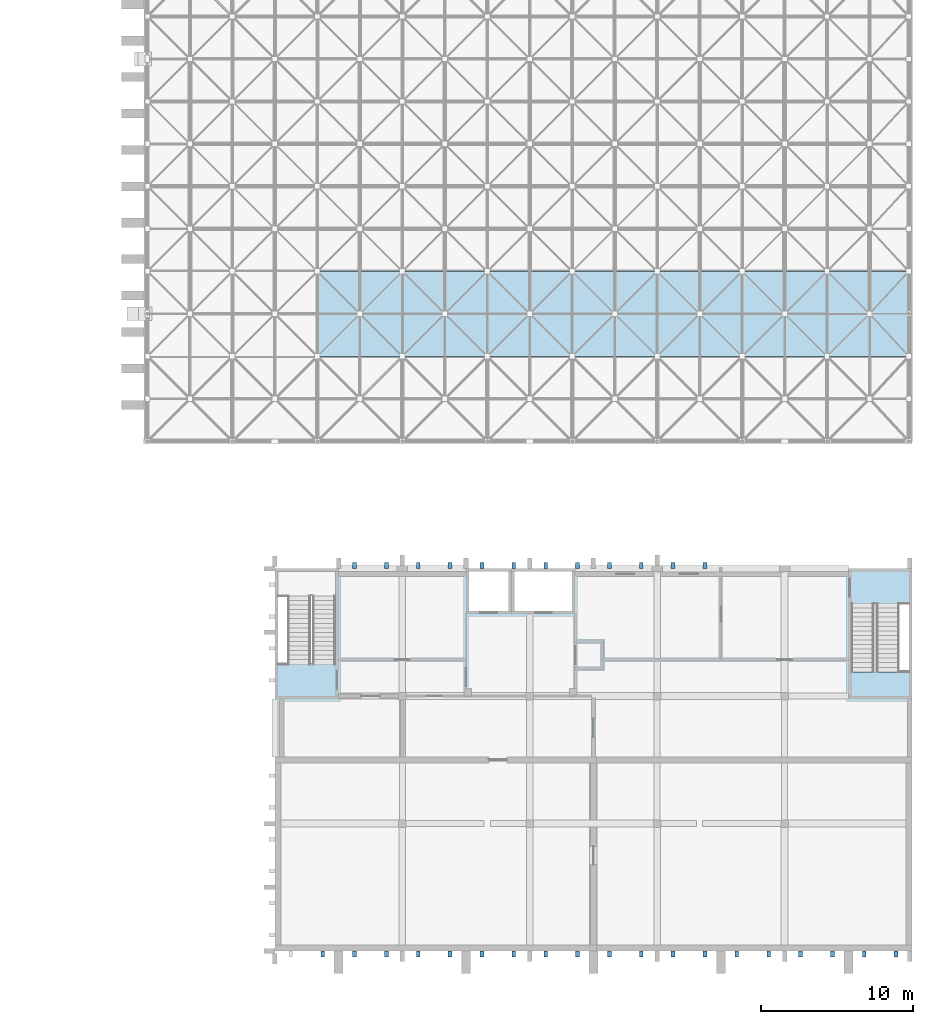
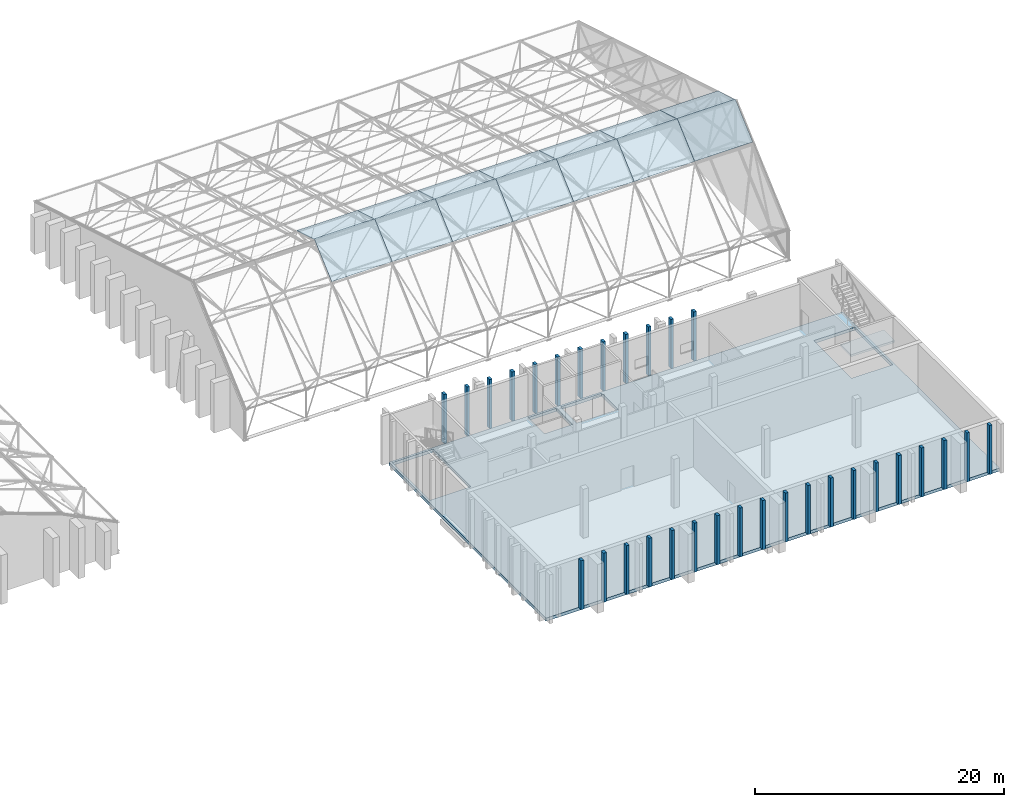
# One storey, part 55 of 100: 45 plates, 2 slabs, 1 element without a shape of its own.
"""IFC4 building model written with IfcOpenShell, lengths in metres."""

from ifc_helpers import new_model, si_unit, direction, frame, origin, origin_2d, place, context, subcontext, project, spatial, polyline, rectangle, outline, extrude, material, layer, layer_set, type_object, element, aggregate, save


model = new_model("IFC4")

# Units and contexts
model_context = context("Model", 3, precision=1e-05, world=origin(), true_north=direction((0.0, 1.0)))
body_context = subcontext(model_context, "Body", "Model", "MODEL_VIEW")
ifc_project = project(units=[si_unit("LENGTHUNIT", "METRE"), si_unit("AREAUNIT", "SQUARE_METRE"), si_unit("VOLUMEUNIT", "CUBIC_METRE"), si_unit("PLANEANGLEUNIT", "RADIAN"), si_unit("MASSUNIT", "GRAM", prefix="KILO")], contexts=[model_context])

# Site, building, storey
site_placement = place(None, origin())
site = spatial("IfcSite", under=ifc_project, at=site_placement, CompositionType="ELEMENT")
building_placement = place(site_placement, origin())
building = spatial("IfcBuilding", under=site, at=building_placement, Name="Kiln Court Media Centre", CompositionType="ELEMENT")
storey_placement = place(building_placement, frame((0.0, 0.0, 15.0)))
storey = spatial("IfcBuildingStorey", under=building, at=storey_placement, Name="L03", CompositionType="ELEMENT", Elevation=15.0)

# Slab
ifc_material_1 = material(Name="Concrete C30/37", Category="concrete")
ifc_layer_1 = layer(ifc_material_1, 0.300048828125)
ifc_layer_set_1 = layer_set([ifc_layer_1], Name="Concrete C30/37 floor slab 300")
slab_type_1 = type_object("IfcSlabType", Name="Concrete C30/37 floor slab 300", PredefinedType="FLOOR", material=ifc_layer_set_1)
slab_1_placement = place(storey_placement, frame((0.0, 0.0, -0.300048828125)))
element("IfcSlab", 1, at=slab_1_placement, inside=storey, type_object=slab_type_1, Name="L03-SL-1005", PredefinedType="FLOOR", context=body_context, shape_type="SweptSolid", body=[
    extrude(outline(polyline([(126.0, 0.0), (126.0, 25.199951171875), (168.0, 25.199951171875), (168.0, 0.0), (126.0, 0.0)]), holes=[polyline([(164.0, 16.800048828125), (167.800048828125, 16.800048828125), (167.800048828125, 22.860107421875), (164.0, 22.860107421875), (164.0, 16.800048828125)]), polyline([(126.199951171875, 18.93994140625), (130.0, 18.93994140625), (130.0, 25.0), (126.199951171875, 25.0), (126.199951171875, 18.93994140625)]), polyline([(138.800048828125, 22.39990234375), (141.39990234375, 22.39990234375), (141.39990234375, 25.0), (138.800048828125, 25.0), (138.800048828125, 22.39990234375)]), polyline([(141.800048828125, 22.39990234375), (145.60009765625, 22.39990234375), (145.60009765625, 25.0), (141.800048828125, 25.0), (141.800048828125, 22.39990234375)])]), origin(), (0.0, 0.0, 1.0), 0.300048828125),
])

# Plates
ifc_material_2 = material(Name="Concrete C40/50", Category="concrete")
ifc_layer_2 = layer(ifc_material_2, 0.25)
ifc_layer_set_2 = layer_set([ifc_layer_2], Name="Concrete C40/50 shading fin 250")
plate_type_1 = type_object("IfcPlateType", Name="Concrete C40/50 shading fin 250", PredefinedType="SHEET", material=ifc_layer_set_2)
for number, where, z_axis, x_axis, name in (
    (2, (129.14990234375, -0.199951171875, 0.0), (0.0, 0.0, 1.0), (1.0, 0.0, 0.0), "V5 S fin L03"),
    (3, (131.25, -0.199951171875, 0.0), (0.0, 0.0, 1.0), (1.0, 0.0, 0.0), "V5 S fin L03"),
    (4, (133.35009765625, -0.199951171875, 0.0), (0.0, 0.0, 1.0), (1.0, 0.0, 0.0), "V5 S fin L03"),
    (5, (135.449951171875, -0.199951171875, 0.0), (0.0, 0.0, 1.0), (1.0, 0.0, 0.0), "V5 S fin L03"),
    (6, (137.550048828125, -0.199951171875, 0.0), (0.0, 0.0, 1.0), (1.0, 0.0, 0.0), "V5 S fin L03"),
    (7, (139.64990234375, -0.199951171875, 0.0), (0.0, 0.0, 1.0), (1.0, 0.0, 0.0), "V5 S fin L03"),
    (8, (141.75, -0.199951171875, 0.0), (0.0, 0.0, 1.0), (1.0, 0.0, 0.0), "V5 S fin L03"),
    (9, (143.85009765625, -0.199951171875, 0.0), (0.0, 0.0, 1.0), (1.0, 0.0, 0.0), "V5 S fin L03"),
    (10, (145.949951171875, -0.199951171875, 0.0), (0.0, 0.0, 1.0), (1.0, 0.0, 0.0), "V5 S fin L03"),
    (11, (148.050048828125, -0.199951171875, 0.0), (0.0, 0.0, 1.0), (1.0, 0.0, 0.0), "V5 S fin L03"),
    (12, (150.14990234375, -0.199951171875, 0.0), (0.0, 0.0, 1.0), (1.0, 0.0, 0.0), "V5 S fin L03"),
    (13, (152.25, -0.199951171875, 0.0), (0.0, 0.0, 1.0), (1.0, 0.0, 0.0), "V5 S fin L03"),
    (14, (154.35009765625, -0.199951171875, 0.0), (0.0, 0.0, 1.0), (1.0, 0.0, 0.0), "V5 S fin L03"),
    (15, (156.449951171875, -0.199951171875, 0.0), (0.0, 0.0, 1.0), (1.0, 0.0, 0.0), "V5 S fin L03"),
    (16, (158.550048828125, -0.199951171875, 0.0), (0.0, 0.0, 1.0), (1.0, 0.0, 0.0), "V5 S fin L03"),
    (17, (160.64990234375, -0.199951171875, 0.0), (0.0, 0.0, 1.0), (1.0, 0.0, 0.0), "V5 S fin L03"),
    (18, (162.75, -0.199951171875, 0.0), (0.0, 0.0, 1.0), (1.0, 0.0, 0.0), "V5 S fin L03"),
    (19, (164.85009765625, -0.199951171875, 0.0), (0.0, 0.0, 1.0), (1.0, 0.0, 0.0), "V5 S fin L03"),
    (20, (166.949951171875, -0.199951171875, 0.0), (0.0, 0.0, 1.0), (1.0, 0.0, 0.0), "V5 S fin L03"),
    (21, (131.25, 25.39990234375, 0.0), (0.0, 0.0, 1.0), (1.0, 0.0, 0.0), "V5 N fin L03"),
    (22, (133.35009765625, 25.39990234375, 0.0), (0.0, 0.0, 1.0), (1.0, 0.0, 0.0), "V5 N fin L03"),
    (23, (135.449951171875, 25.39990234375, 0.0), (0.0, 0.0, 1.0), (1.0, 0.0, 0.0), "V5 N fin L03"),
    (24, (137.550048828125, 25.39990234375, 0.0), (0.0, 0.0, 1.0), (1.0, 0.0, 0.0), "V5 N fin L03"),
    (25, (139.64990234375, 25.39990234375, 0.0), (0.0, 0.0, 1.0), (1.0, 0.0, 0.0), "V5 N fin L03"),
    (26, (141.75, 25.39990234375, 0.0), (0.0, 0.0, 1.0), (1.0, 0.0, 0.0), "V5 N fin L03"),
    (27, (143.85009765625, 25.39990234375, 0.0), (0.0, 0.0, 1.0), (1.0, 0.0, 0.0), "V5 N fin L03"),
    (28, (145.949951171875, 25.39990234375, 0.0), (0.0, 0.0, 1.0), (1.0, 0.0, 0.0), "V5 N fin L03"),
    (29, (148.050048828125, 25.39990234375, 0.0), (0.0, 0.0, 1.0), (1.0, 0.0, 0.0), "V5 N fin L03"),
    (30, (150.14990234375, 25.39990234375, 0.0), (0.0, 0.0, 1.0), (1.0, 0.0, 0.0), "V5 N fin L03"),
    (31, (152.25, 25.39990234375, 0.0), (0.0, 0.0, 1.0), (1.0, 0.0, 0.0), "V5 N fin L03"),
    (32, (154.35009765625, 25.39990234375, 0.0), (0.0, 0.0, 1.0), (1.0, 0.0, 0.0), "V5 N fin L03"),
):
    element("IfcPlate", number, at=place(storey_placement, frame(where, z_axis=z_axis, x_axis=x_axis)), inside=storey, type_object=plate_type_1, Name=name, PredefinedType="SHEET", context=body_context, shape_type="SweptSolid", body=[
        extrude(rectangle(XDim=0.25, YDim=0.39990234375, at=origin_2d()), origin(), (0.0, 0.0, 1.0), 4.800048828125),
    ])

# Stair, slab
ifc_material_3 = material(Name="Concrete C40/50", Category="concrete")
stair_type = type_object("IfcStairType", Name="Concrete C40/50 dog-leg stair 1500 wide, 150 riser", PredefinedType="HALF_TURN_STAIR", material=ifc_material_3)
stair_placement = place(storey_placement, origin())
stair = element("IfcStair", 33, at=stair_placement, inside=storey, type_object=stair_type, Name="ST-17 L03", PredefinedType="HALF_TURN_STAIR")
ifc_material_4 = material(Name="Concrete C40/50", Category="concrete")
ifc_layer_3 = layer(ifc_material_4, 0.199951171875)
ifc_layer_set_3 = layer_set([ifc_layer_3], Name="Concrete C40/50 stair landing 200")
slab_type_2 = type_object("IfcSlabType", Name="Concrete C40/50 stair landing 200", PredefinedType="LANDING", material=ifc_layer_set_3)
slab_2_placement = place(storey_placement, frame((0.0, 0.0, 2.199951171875)))
slab_2 = element("IfcSlab", 34, at=slab_2_placement, type_object=slab_type_2, Name="L03-ST-5008 landing 5008", PredefinedType="LANDING", context=body_context, shape_type="SweptSolid", body=[
    extrude(outline(polyline([(163.8798828125, 18.39990234375), (163.8798828125, 16.679931640625), (167.919921875, 16.679931640625), (167.919921875, 18.39990234375), (163.8798828125, 18.39990234375)])), origin(), (0.0, 0.0, 1.0), 0.199951171875),
])
aggregate(stair, [slab_2])

# Plates
ifc_material_5 = material(Name="Laminated glass", Category="glass")
ifc_layer_4 = layer(ifc_material_5, 0.0439453125)
ifc_layer_set_4 = layer_set([ifc_layer_4], Name="Laminated glass rooflight 44")
plate_type_2 = type_object("IfcPlateType", Name="Laminated glass rooflight 44", PredefinedType="USERDEFINED", material=ifc_layer_set_4)
plate_1_placement = place(storey_placement, frame((128.800048828125, 39.199951171875, 8.188720703125), z_axis=(0.0, -0.666009306831, 0.745943431645), x_axis=(0.0, 0.745943431645, 0.666009306831)))
element("IfcPlate", 35, at=plate_1_placement, inside=storey, type_object=plate_type_2, Name="V2 rooflight 2.3", ObjectType="ROOFLIGHT GLAZING", PredefinedType="USERDEFINED", context=body_context, shape_type="SweptSolid", body=[
    extrude(outline(polyline([(0.0, 0.0), (3.7537012987029463, 0.0), (3.7537012987029463, -5.599853515624999), (0.0, -5.599853515624999), (0.0, 0.0)])), origin(), (0.0, 0.0, -1.0), 0.0439453125),
])
for number, where, z_axis, x_axis, name in (
    (36, (134.39990234375, 39.199951171875, 8.188720703125), (0.0, -0.666009306831, 0.745943431645), (0.0, 0.745943431645, 0.666009306831), "V2 rooflight 2.4"),
    (37, (140.0, 39.199951171875, 8.188720703125), (0.0, -0.666009306831, 0.745943431645), (0.0, 0.745943431645, 0.666009306831), "V2 rooflight 2.5"),
):
    element("IfcPlate", number, at=place(storey_placement, frame(where, z_axis=z_axis, x_axis=x_axis)), inside=storey, type_object=plate_type_2, Name=name, ObjectType="ROOFLIGHT GLAZING", PredefinedType="USERDEFINED", context=body_context, shape_type="SweptSolid", body=[
        extrude(outline(polyline([(0.0, 0.0), (3.7537012987029463, 0.0), (3.7537012987029463, -5.600097656249999), (0.0, -5.600097656249999), (0.0, 0.0)])), origin(), (0.0, 0.0, -1.0), 0.0439453125),
    ])
plate_2_placement = place(storey_placement, frame((145.60009765625, 39.199951171875, 8.188720703125), z_axis=(0.0, -0.666009306831, 0.745943431645), x_axis=(0.0, 0.745943431645, 0.666009306831)))
element("IfcPlate", 38, at=plate_2_placement, inside=storey, type_object=plate_type_2, Name="V2 rooflight 2.6", ObjectType="ROOFLIGHT GLAZING", PredefinedType="USERDEFINED", context=body_context, shape_type="SweptSolid", body=[
    extrude(outline(polyline([(0.0, 0.0), (3.7537012987029463, 0.0), (3.7537012987029463, -5.599853515624999), (0.0, -5.599853515624999), (0.0, 0.0)])), origin(), (0.0, 0.0, -1.0), 0.0439453125),
])
plate_3_placement = place(storey_placement, frame((151.199951171875, 39.199951171875, 8.188720703125), z_axis=(0.0, -0.666009306831, 0.745943431645), x_axis=(0.0, 0.745943431645, 0.666009306831)))
element("IfcPlate", 39, at=plate_3_placement, inside=storey, type_object=plate_type_2, Name="V2 rooflight 2.7", ObjectType="ROOFLIGHT GLAZING", PredefinedType="USERDEFINED", context=body_context, shape_type="SweptSolid", body=[
    extrude(outline(polyline([(0.0, 0.0), (3.7537012987029463, 0.0), (3.7537012987029463, -5.600097656249999), (0.0, -5.600097656249999), (0.0, 0.0)])), origin(), (0.0, 0.0, -1.0), 0.0439453125),
])
plate_4_placement = place(storey_placement, frame((156.800048828125, 39.199951171875, 8.188720703125), z_axis=(0.0, -0.666009306831, 0.745943431645), x_axis=(0.0, 0.745943431645, 0.666009306831)))
element("IfcPlate", 40, at=plate_4_placement, inside=storey, type_object=plate_type_2, Name="V2 rooflight 2.8", ObjectType="ROOFLIGHT GLAZING", PredefinedType="USERDEFINED", context=body_context, shape_type="SweptSolid", body=[
    extrude(outline(polyline([(0.0, 0.0), (3.7537012987029463, 0.0), (3.7537012987029463, -5.599853515624999), (0.0, -5.599853515624999), (0.0, 0.0)])), origin(), (0.0, 0.0, -1.0), 0.0439453125),
])
plate_5_placement = place(storey_placement, frame((162.39990234375, 39.199951171875, 8.205810546875), z_axis=(0.0, -0.666009306831, 0.745943431645), x_axis=(0.0, 0.745943431645, 0.666009306831)))
element("IfcPlate", 41, at=plate_5_placement, inside=storey, type_object=plate_type_2, Name="V2 rooflight 2.9", ObjectType="ROOFLIGHT GLAZING", PredefinedType="USERDEFINED", context=body_context, shape_type="SweptSolid", body=[
    extrude(outline(polyline([(0.0, 0.0), (3.7537012987029463, 0.0), (3.7537012987029463, -5.38671875), (0.0, -5.38671875), (0.0, 0.0)])), origin(), (0.0, 0.0, -1.0), 0.0439453125),
])
plate_6_placement = place(storey_placement, frame((128.800048828125, 42.0, 10.64697265625), z_axis=(0.0, 0.285223435116, 0.958461054013), x_axis=(0.0, 0.958461054013, -0.285223435116)))
element("IfcPlate", 42, at=plate_6_placement, inside=storey, type_object=plate_type_2, Name="V2 rooflight 3.3", ObjectType="ROOFLIGHT GLAZING", PredefinedType="USERDEFINED", context=body_context, shape_type="SweptSolid", body=[
    extrude(outline(polyline([(0.0, 0.0), (2.9214007354813227, 0.0), (2.9214007354813227, -5.599853515625), (0.0, -5.599853515625), (0.0, 0.0)])), origin(), (0.0, 0.0, -1.0), 0.0439453125),
])
for number, where, z_axis, x_axis, name in (
    (43, (134.39990234375, 42.0, 10.64697265625), (0.0, 0.285223435116, 0.958461054013), (0.0, 0.958461054013, -0.285223435116), "V2 rooflight 3.4"),
    (44, (140.0, 42.0, 10.64697265625), (0.0, 0.285223435116, 0.958461054013), (0.0, 0.958461054013, -0.285223435116), "V2 rooflight 3.5"),
):
    element("IfcPlate", number, at=place(storey_placement, frame(where, z_axis=z_axis, x_axis=x_axis)), inside=storey, type_object=plate_type_2, Name=name, ObjectType="ROOFLIGHT GLAZING", PredefinedType="USERDEFINED", context=body_context, shape_type="SweptSolid", body=[
        extrude(outline(polyline([(0.0, 0.0), (2.9214007354813227, 0.0), (2.9214007354813227, -5.60009765625), (0.0, -5.60009765625), (0.0, 0.0)])), origin(), (0.0, 0.0, -1.0), 0.0439453125),
    ])
plate_7_placement = place(storey_placement, frame((145.60009765625, 42.0, 10.64697265625), z_axis=(0.0, 0.285223435116, 0.958461054013), x_axis=(0.0, 0.958461054013, -0.285223435116)))
element("IfcPlate", 45, at=plate_7_placement, inside=storey, type_object=plate_type_2, Name="V2 rooflight 3.6", ObjectType="ROOFLIGHT GLAZING", PredefinedType="USERDEFINED", context=body_context, shape_type="SweptSolid", body=[
    extrude(outline(polyline([(0.0, 0.0), (2.9214007354813227, 0.0), (2.9214007354813227, -5.599853515625), (0.0, -5.599853515625), (0.0, 0.0)])), origin(), (0.0, 0.0, -1.0), 0.0439453125),
])
plate_8_placement = place(storey_placement, frame((151.199951171875, 42.0, 10.64697265625), z_axis=(0.0, 0.285223435116, 0.958461054013), x_axis=(0.0, 0.958461054013, -0.285223435116)))
element("IfcPlate", 46, at=plate_8_placement, inside=storey, type_object=plate_type_2, Name="V2 rooflight 3.7", ObjectType="ROOFLIGHT GLAZING", PredefinedType="USERDEFINED", context=body_context, shape_type="SweptSolid", body=[
    extrude(outline(polyline([(0.0, 0.0), (2.9214007354813227, 0.0), (2.9214007354813227, -5.60009765625), (0.0, -5.60009765625), (0.0, 0.0)])), origin(), (0.0, 0.0, -1.0), 0.0439453125),
])
plate_9_placement = place(storey_placement, frame((156.800048828125, 42.0, 10.64697265625), z_axis=(0.0, 0.285223435116, 0.958461054013), x_axis=(0.0, 0.958461054013, -0.285223435116)))
element("IfcPlate", 47, at=plate_9_placement, inside=storey, type_object=plate_type_2, Name="V2 rooflight 3.8", ObjectType="ROOFLIGHT GLAZING", PredefinedType="USERDEFINED", context=body_context, shape_type="SweptSolid", body=[
    extrude(outline(polyline([(0.0, 0.0), (2.9214007354813227, 0.0), (2.9214007354813227, -5.599853515625), (0.0, -5.599853515625), (0.0, 0.0)])), origin(), (0.0, 0.0, -1.0), 0.0439453125),
])
plate_10_placement = place(storey_placement, frame((162.39990234375, 42.0, 10.66015625), z_axis=(0.0, 0.285223435116, 0.958461054013), x_axis=(0.0, 0.958461054013, -0.285223435116)))
element("IfcPlate", 48, at=plate_10_placement, inside=storey, type_object=plate_type_2, Name="V2 rooflight 3.9", ObjectType="ROOFLIGHT GLAZING", PredefinedType="USERDEFINED", context=body_context, shape_type="SweptSolid", body=[
    extrude(outline(polyline([(0.0, 0.0), (2.9214007354813227, 0.0), (2.9214007354813227, -5.38671875), (0.0, -5.38671875), (0.0, 0.0)])), origin(), (0.0, 0.0, -1.0), 0.0439453125),
])

save(model, "model.ifc")
